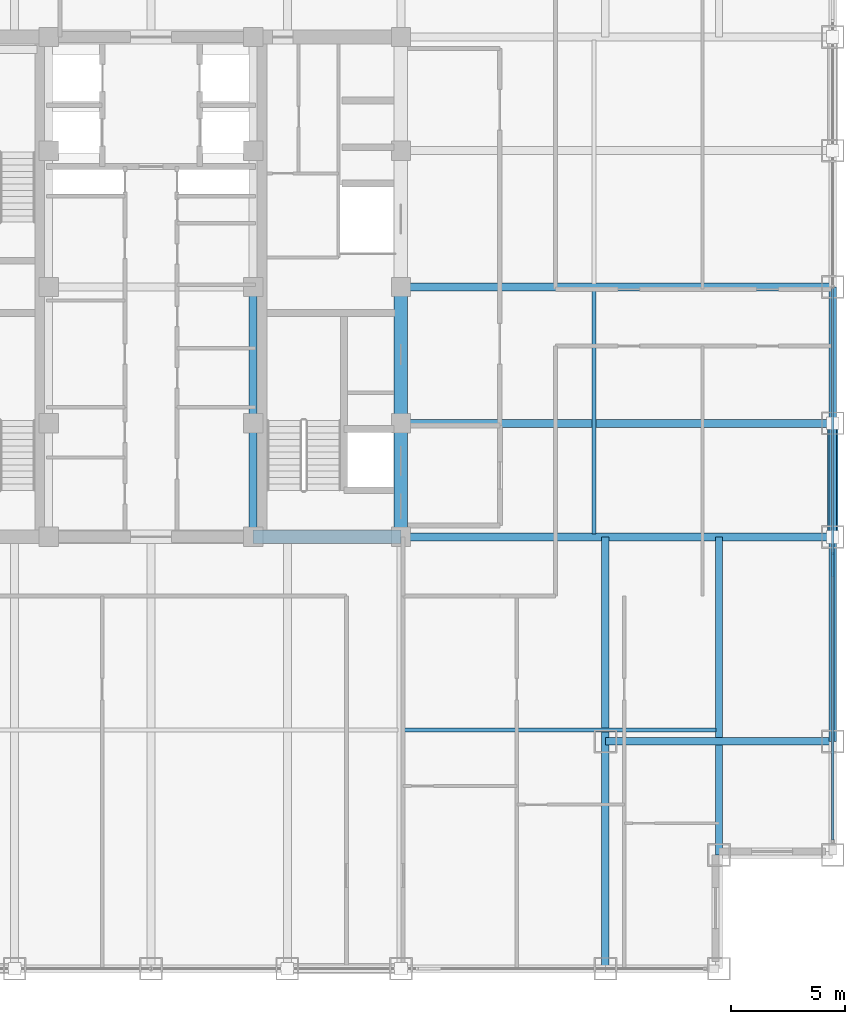
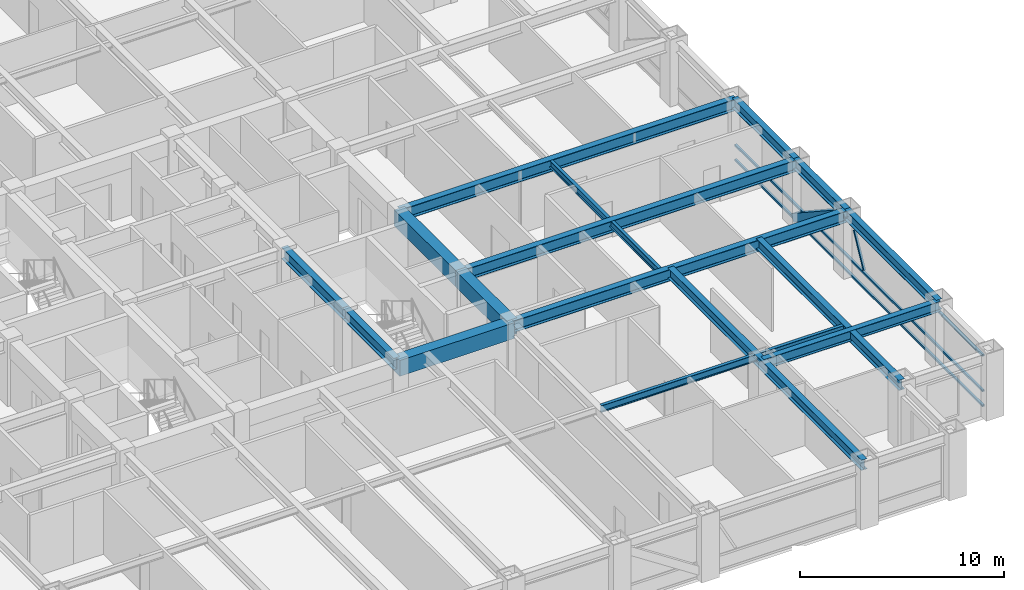
# One storey, part 9 of 25: 16 beams, 5 members, 1 element without a shape of its own.
"""IFC4 building model written with IfcOpenShell, lengths in metres."""

from ifc_helpers import new_model, si_unit, direction, frame, origin, origin_2d, place, context, subcontext, project, spatial, rectangle, hollow_rectangle, i_section, extrude, source, transform, mapped, material, material_profile, profile_set, type_object, element, aggregate, save


model = new_model("IFC4")

# Units and contexts
model_context = context("Model", 3, precision=1e-05, world=origin(), true_north=direction((0.0, 1.0)))
body_context = subcontext(model_context, "Body", "Model", "MODEL_VIEW")
ifc_project = project(units=[si_unit("LENGTHUNIT", "METRE"), si_unit("AREAUNIT", "SQUARE_METRE"), si_unit("VOLUMEUNIT", "CUBIC_METRE"), si_unit("PLANEANGLEUNIT", "RADIAN"), si_unit("MASSUNIT", "GRAM", prefix="KILO")], contexts=[model_context])

# Site, building, storey
site_placement = place(None, origin())
site = spatial("IfcSite", under=ifc_project, at=site_placement, CompositionType="ELEMENT")
building_placement = place(site_placement, origin())
building = spatial("IfcBuilding", under=site, at=building_placement, Name="Khorayat Bourse Tower", CompositionType="ELEMENT")
storey_placement = place(building_placement, frame((0.0, 0.0, 251.10009765625)))
storey = spatial("IfcBuildingStorey", under=building, at=storey_placement, Name="L59", CompositionType="ELEMENT", Elevation=251.10009765625)

# Beams
ifc_material_1 = material(Name="Steel ASTM A992 Grade 50", Category="steel")
ifc_material_profile_1 = material_profile(ifc_material_1, i_section(OverallWidth=0.35498046875, OverallDepth=0.695068359375, WebThickness=0.015380859375, FlangeThickness=0.02490234375, FilletRadius=0.01806640625, at=origin_2d()), Name="W690X217")
ifc_profile_set_1 = profile_set([ifc_material_profile_1], Name="Steel ASTM A992 Grade 50")
beam_type_1 = type_object("IfcBeamType", Name="BM-GIRD-690", PredefinedType="BEAM", material=ifc_profile_set_1)
shared_shape_1 = source(origin(), body_context, "Body", "SweptSolid", [
    extrude(i_section(OverallWidth=0.35498046875, OverallDepth=0.695068359375, WebThickness=0.015380859375, FlangeThickness=0.02490234375, FilletRadius=0.01806640625, at=origin_2d()), origin(), (0.0, 0.0, 1.0), 5.0),
])
beam_1_placement = place(storey_placement, frame((4.5, -11.0, 3.432373046875), z_axis=(0.0, 1.0, 0.0), x_axis=(-1.0, 0.0, 0.0)))
element("IfcBeam", 1, at=beam_1_placement, inside=storey, type_object=beam_type_1, Name="L59 BM-GIRD-690 BM-L59-CRX-09", PredefinedType="BEAM", context=body_context, shape_type="MappedRepresentation", body=[
    mapped(shared_shape_1, transform((0.0, 0.0, 0.0), scale=1.0)),
])
shared_shape_2 = source(origin(), body_context, "Body", "SweptSolid", [
    extrude(i_section(OverallWidth=0.35498046875, OverallDepth=0.695068359375, WebThickness=0.015380859375, FlangeThickness=0.02490234375, FilletRadius=0.01806640625, at=origin_2d()), origin(), (0.0, 0.0, 1.0), 6.0),
])
beam_2_placement = place(storey_placement, frame((4.5, -6.0, 3.432373046875), z_axis=(0.0, 1.0, 0.0), x_axis=(-1.0, 0.0, 0.0)))
element("IfcBeam", 2, at=beam_2_placement, inside=storey, type_object=beam_type_1, Name="L59 BM-GIRD-690 BM-L59-CRX-10", PredefinedType="BEAM", context=body_context, shape_type="MappedRepresentation", body=[
    mapped(shared_shape_2, transform((0.0, 0.0, 0.0), scale=1.0)),
])
ifc_material_profile_2 = material_profile(ifc_material_1, i_section(OverallWidth=0.324951171875, OverallDepth=0.615966796875, WebThickness=0.013916015625, FlangeThickness=0.021484375, FilletRadius=0.01611328125, at=origin_2d()), Name="W610X174")
ifc_profile_set_2 = profile_set([ifc_material_profile_2], Name="Steel ASTM A992 Grade 50")
beam_type_2 = type_object("IfcBeamType", Name="BM-GIRD-610", PredefinedType="BEAM", material=ifc_profile_set_2)
shared_shape_3 = source(origin(), body_context, "Body", "SweptSolid", [
    extrude(i_section(OverallWidth=0.324951171875, OverallDepth=0.615966796875, WebThickness=0.013916015625, FlangeThickness=0.021484375, FilletRadius=0.01611328125, at=origin_2d()), origin(), (0.0, 0.0, 1.0), 19.0),
])
beam_3_placement = place(storey_placement, frame((20.0, -30.0, 3.471923828125), z_axis=(0.0, 1.0, 0.0), x_axis=(-1.0, 0.0, 0.0)))
element("IfcBeam", 3, at=beam_3_placement, inside=storey, type_object=beam_type_2, Name="L59 BM-GIRD-610 BM-L59-CNRY-086", PredefinedType="BEAM", context=body_context, shape_type="MappedRepresentation", body=[
    mapped(shared_shape_3, transform((0.0, 0.0, 0.0), scale=1.0)),
])
shared_shape_4 = source(origin(), body_context, "Body", "SweptSolid", [
    extrude(i_section(OverallWidth=0.324951171875, OverallDepth=0.615966796875, WebThickness=0.013916015625, FlangeThickness=0.021484375, FilletRadius=0.01611328125, at=origin_2d()), origin(), (0.0, 0.0, 1.0), 10.0),
])
beam_4_placement = place(storey_placement, frame((20.0, -20.0, 3.471923828125), z_axis=(1.0, 0.0, 0.0), x_axis=(0.0, 1.0, 0.0)))
element("IfcBeam", 4, at=beam_4_placement, inside=storey, type_object=beam_type_2, Name="L59 BM-GIRD-610 BM-L59-CNRX-092", PredefinedType="BEAM", context=body_context, shape_type="MappedRepresentation", body=[
    mapped(shared_shape_4, transform((0.0, 0.0, 0.0), scale=1.0)),
])
ifc_material_profile_3 = material_profile(ifc_material_1, i_section(OverallWidth=0.180908203125, OverallDepth=0.4169921875, WebThickness=0.010986328125, FlangeThickness=0.018310546875, FilletRadius=0.011962890625, at=origin_2d()), Name="W410X85")
ifc_profile_set_3 = profile_set([ifc_material_profile_3], Name="Steel ASTM A992 Grade 50")
beam_type_3 = type_object("IfcBeamType", Name="BM-JOIST-410", PredefinedType="JOIST", material=ifc_profile_set_3)
shared_shape_5 = source(origin(), body_context, "Body", "SweptSolid", [
    extrude(i_section(OverallWidth=0.180908203125, OverallDepth=0.4169921875, WebThickness=0.010986328125, FlangeThickness=0.018310546875, FilletRadius=0.011962890625, at=origin_2d()), origin(), (0.0, 0.0, 1.0), 10.740234375),
])
beam_5_placement = place(storey_placement, frame((19.5, -10.8701171875, 3.5712890625), z_axis=(0.0, 1.0, 0.0), x_axis=(-1.0, 0.0, 0.0)))
element("IfcBeam", 5, at=beam_5_placement, inside=storey, type_object=beam_type_3, Name="L59 BM-JOIST-410 BM-L59-JSTY-104", PredefinedType="JOIST", context=body_context, shape_type="MappedRepresentation", body=[
    mapped(shared_shape_5, transform((0.0, 0.0, 0.0), scale=1.0)),
])
ifc_material_profile_4 = material_profile(ifc_material_1, i_section(OverallWidth=0.324951171875, OverallDepth=0.615966796875, WebThickness=0.013916015625, FlangeThickness=0.021484375, FilletRadius=0.01611328125, at=origin_2d()), Name="W610X174")
ifc_profile_set_4 = profile_set([ifc_material_profile_4], Name="Steel ASTM A992 Grade 50")
beam_type_4 = type_object("IfcBeamType", Name="BM-SPAN-610", PredefinedType="SPANDREL", material=ifc_profile_set_4)
shared_shape_6 = source(origin(), body_context, "Body", "SweptSolid", [
    extrude(i_section(OverallWidth=0.324951171875, OverallDepth=0.615966796875, WebThickness=0.013916015625, FlangeThickness=0.021484375, FilletRadius=0.01611328125, at=origin_2d()), origin(), (0.0, 0.0, 1.0), 9.0),
])
beam_6_placement = place(storey_placement, frame((30.0, -20.0, 3.471923828125), z_axis=(0.0, 1.0, 0.0), x_axis=(-1.0, 0.0, 0.0)))
element("IfcBeam", 6, at=beam_6_placement, inside=storey, type_object=beam_type_4, Name="L59 BM-SPAN-610 BM-L59-SPN-035", PredefinedType="SPANDREL", context=body_context, shape_type="MappedRepresentation", body=[
    mapped(shared_shape_6, transform((0.0, 0.0, 0.0), scale=1.0)),
])
shared_shape_7 = source(origin(), body_context, "Body", "SweptSolid", [
    extrude(i_section(OverallWidth=0.324951171875, OverallDepth=0.615966796875, WebThickness=0.013916015625, FlangeThickness=0.021484375, FilletRadius=0.01611328125, at=origin_2d()), origin(), (0.0, 0.0, 1.0), 5.0),
])
beam_7_placement = place(storey_placement, frame((30.0, -11.0, 3.471923828125), z_axis=(0.0, 1.0, 0.0), x_axis=(-1.0, 0.0, 0.0)))
element("IfcBeam", 7, at=beam_7_placement, inside=storey, type_object=beam_type_4, Name="L59 BM-SPAN-610 BM-L59-SPN-036", PredefinedType="SPANDREL", context=body_context, shape_type="MappedRepresentation", body=[
    mapped(shared_shape_7, transform((0.0, 0.0, 0.0), scale=1.0)),
])
shared_shape_8 = source(origin(), body_context, "Body", "SweptSolid", [
    extrude(i_section(OverallWidth=0.324951171875, OverallDepth=0.615966796875, WebThickness=0.013916015625, FlangeThickness=0.021484375, FilletRadius=0.01611328125, at=origin_2d()), origin(), (0.0, 0.0, 1.0), 6.0),
])
beam_8_placement = place(storey_placement, frame((30.0, -6.0, 3.471923828125), z_axis=(0.0, 1.0, 0.0), x_axis=(-1.0, 0.0, 0.0)))
element("IfcBeam", 8, at=beam_8_placement, inside=storey, type_object=beam_type_4, Name="L59 BM-SPAN-610 BM-L59-SPN-037", PredefinedType="SPANDREL", context=body_context, shape_type="MappedRepresentation", body=[
    mapped(shared_shape_8, transform((0.0, 0.0, 0.0), scale=1.0)),
])
ifc_material_2 = material(Name="Concrete C60/75", Category="concrete")
ifc_material_profile_5 = material_profile(ifc_material_2, rectangle(XDim=0.60009765625, YDim=0.949951171875, at=origin_2d()), Name="RC 600x950")
ifc_profile_set_5 = profile_set([ifc_material_profile_5], Name="Concrete C60/75")
beam_type_5 = type_object("IfcBeamType", Name="BM-COUP-950", PredefinedType="BEAM", material=ifc_profile_set_5)
shared_shape_9 = source(origin(), body_context, "Body", "SweptSolid", [
    extrude(rectangle(XDim=0.60009765625, YDim=0.949951171875, at=origin_2d()), origin(), (0.0, 0.0, 1.0), 5.0),
])
beam_9_placement = place(storey_placement, frame((11.0, -11.0, 3.304931640625), z_axis=(0.0, 1.0, 0.0), x_axis=(-1.0, 0.0, 0.0)))
element("IfcBeam", 9, at=beam_9_placement, inside=storey, type_object=beam_type_5, Name="L59 BM-COUP-950 BM-L59-CRX-13", PredefinedType="BEAM", context=body_context, shape_type="MappedRepresentation", body=[
    mapped(shared_shape_9, transform((0.0, 0.0, 0.0), scale=1.0)),
])
shared_shape_10 = source(origin(), body_context, "Body", "SweptSolid", [
    extrude(rectangle(XDim=0.60009765625, YDim=0.949951171875, at=origin_2d()), origin(), (0.0, 0.0, 1.0), 6.0),
])
beam_10_placement = place(storey_placement, frame((11.0, -6.0, 3.304931640625), z_axis=(0.0, 1.0, 0.0), x_axis=(-1.0, 0.0, 0.0)))
element("IfcBeam", 10, at=beam_10_placement, inside=storey, type_object=beam_type_5, Name="L59 BM-COUP-950 BM-L59-CRX-14", PredefinedType="BEAM", context=body_context, shape_type="MappedRepresentation", body=[
    mapped(shared_shape_10, transform((0.0, 0.0, 0.0), scale=1.0)),
])
shared_shape_11 = source(origin(), body_context, "Body", "SweptSolid", [
    extrude(rectangle(XDim=0.60009765625, YDim=0.949951171875, at=origin_2d()), origin(), (0.0, 0.0, 1.0), 6.5),
])
beam_11_placement = place(storey_placement, frame((4.5, -11.0, 3.304931640625), z_axis=(1.0, 0.0, 0.0), x_axis=(0.0, 1.0, 0.0)))
element("IfcBeam", 11, at=beam_11_placement, inside=storey, type_object=beam_type_5, Name="L59 BM-COUP-950 BM-L59-CRY-19", PredefinedType="BEAM", context=body_context, shape_type="MappedRepresentation", body=[
    mapped(shared_shape_11, transform((0.0, 0.0, 0.0), scale=1.0)),
])
shared_shape_12 = source(origin(), body_context, "Body", "SweptSolid", [
    extrude(i_section(OverallWidth=0.35498046875, OverallDepth=0.695068359375, WebThickness=0.015380859375, FlangeThickness=0.02490234375, FilletRadius=0.01806640625, at=origin_2d()), origin(), (0.0, 0.0, 1.0), 19.0),
])
for number, where, z_axis, x_axis, name in (
    (12, (11.0, -11.0, 3.432373046875), (1.0, 0.0, 0.0), (0.0, 1.0, 0.0), "L59 BM-GIRD-690 BM-L59-RADX-074"),
    (13, (11.0, -6.0, 3.432373046875), (1.0, 0.0, 0.0), (0.0, 1.0, 0.0), "L59 BM-GIRD-690 BM-L59-RADX-076"),
    (14, (11.0, 0.0, 3.432373046875), (1.0, 0.0, 0.0), (0.0, 1.0, 0.0), "L59 BM-GIRD-690 BM-L59-RADX-078"),
):
    element("IfcBeam", number, at=place(storey_placement, frame(where, z_axis=z_axis, x_axis=x_axis)), inside=storey, type_object=beam_type_1, Name=name, PredefinedType="BEAM", context=body_context, shape_type="MappedRepresentation", body=[
        mapped(shared_shape_12, transform((0.0, 0.0, 0.0), scale=1.0)),
    ])
shared_shape_13 = source(origin(), body_context, "Body", "SweptSolid", [
    extrude(i_section(OverallWidth=0.324951171875, OverallDepth=0.615966796875, WebThickness=0.013916015625, FlangeThickness=0.021484375, FilletRadius=0.01611328125, at=origin_2d()), origin(), (0.0, 0.0, 1.0), 14.0),
])
beam_12_placement = place(storey_placement, frame((25.0, -25.0, 3.471923828125), z_axis=(0.0, 1.0, 0.0), x_axis=(-1.0, 0.0, 0.0)))
element("IfcBeam", 15, at=beam_12_placement, inside=storey, type_object=beam_type_2, Name="L59 BM-GIRD-610 BM-L59-CNRY-090", PredefinedType="BEAM", context=body_context, shape_type="MappedRepresentation", body=[
    mapped(shared_shape_13, transform((0.0, 0.0, 0.0), scale=1.0)),
])
shared_shape_14 = source(origin(), body_context, "Body", "SweptSolid", [
    extrude(i_section(OverallWidth=0.180908203125, OverallDepth=0.4169921875, WebThickness=0.010986328125, FlangeThickness=0.018310546875, FilletRadius=0.011962890625, at=origin_2d()), origin(), (0.0, 0.0, 1.0), 13.740234375),
])
beam_13_placement = place(storey_placement, frame((11.1298828125, -19.5, 3.5712890625), z_axis=(1.0, 0.0, 0.0), x_axis=(0.0, 1.0, 0.0)))
element("IfcBeam", 16, at=beam_13_placement, inside=storey, type_object=beam_type_3, Name="L59 BM-JOIST-410 BM-L59-JSTX-098", PredefinedType="JOIST", context=body_context, shape_type="MappedRepresentation", body=[
    mapped(shared_shape_14, transform((0.0, 0.0, 0.0), scale=1.0)),
])

# Member
ifc_material_3 = material(Name="Steel EN 10025-4 S460M", Category="steel")
ifc_material_profile_6 = material_profile(ifc_material_3, hollow_rectangle(XDim=0.449951171875, YDim=0.449951171875, WallThickness=0.02490234375, at=origin_2d()), Name="HSS 450x450x25")
ifc_profile_set_6 = profile_set([ifc_material_profile_6], Name="Steel EN 10025-4 S460M")
member_type_1 = type_object("IfcMemberType", Name="MBR-TUBE-450", PredefinedType="BRACE", material=ifc_profile_set_6)
shared_shape_15 = source(origin(), body_context, "Body", "SweptSolid", [
    extrude(hollow_rectangle(XDim=0.449951171875, YDim=0.449951171875, WallThickness=0.02490234375, at=origin_2d()), origin(), (0.0, 0.0, 1.0), 5.979736328125),
])
member_1_placement = place(storey_placement, frame((30.0, -11.0, 3.52978515625), z_axis=(0.0, 0.836160261256, -0.548485202623), x_axis=(-1.0, 0.0, 0.0)))
element("IfcMember", 17, at=member_1_placement, inside=storey, type_object=member_type_1, Name="L59 Perimeter Tube Brace 07", PredefinedType="BRACE", context=body_context, shape_type="MappedRepresentation", body=[
    mapped(shared_shape_15, transform((0.0, 0.0, 0.0), scale=1.0)),
])

# Curtain wall, members
ifc_material_4 = material(Name="Aluminium EN AW-6063 T6", Category="aluminium")
curtain_wall_type = type_object("IfcCurtainWallType", Name="CW-SYS-03", PredefinedType="NOTDEFINED", material=ifc_material_4)
curtain_wall_placement = place(storey_placement, origin())
curtain_wall = element("IfcCurtainWall", 18, at=curtain_wall_placement, inside=storey, type_object=curtain_wall_type, Name="L59 Curtain Wall CW-L59-E1", PredefinedType="NOTDEFINED")
ifc_material_profile_7 = material_profile(ifc_material_4, hollow_rectangle(XDim=0.1201171875, YDim=0.1201171875, WallThickness=0.0048828125, at=origin_2d()), Name="ALU 120x120x5")
ifc_profile_set_7 = profile_set([ifc_material_profile_7], Name="Aluminium EN AW-6063 T6")
member_type_2 = type_object("IfcMemberType", Name="CWM-DIAG-120", PredefinedType="MULLION", material=ifc_profile_set_7)
shared_shape_16 = source(origin(), body_context, "Body", "SweptSolid", [
    extrude(hollow_rectangle(XDim=0.1201171875, YDim=0.1201171875, WallThickness=0.0048828125, at=origin_2d()), origin(), (0.0, 0.0, 1.0), 2.079345703125),
])
member_2_placement = place(storey_placement, frame((30.0, -12.67919921875, 1.08984375), z_axis=(0.0, 0.465760949701, 0.884910581773), x_axis=(-1.0, 0.0, 0.0)))
member_2 = element("IfcMember", 19, at=member_2_placement, type_object=member_type_2, Name="CW-L59-E1 Faceted Diagonal Mullion 1", PredefinedType="MULLION", context=body_context, shape_type="MappedRepresentation", body=[
    mapped(shared_shape_16, transform((0.0, 0.0, 0.0), scale=1.0)),
])
ifc_material_profile_8 = material_profile(ifc_material_4, hollow_rectangle(XDim=0.1201171875, YDim=0.1201171875, WallThickness=0.0048828125, at=origin_2d()), Name="ALU 120x120x5")
ifc_profile_set_8 = profile_set([ifc_material_profile_8], Name="Aluminium EN AW-6063 T6")
member_type_3 = type_object("IfcMemberType", Name="CWT-HORZ-120", PredefinedType="USERDEFINED", material=ifc_profile_set_8)
shared_shape_17 = source(origin(), body_context, "Body", "SweptSolid", [
    extrude(hollow_rectangle(XDim=0.1201171875, YDim=0.1201171875, WallThickness=0.0048828125, at=origin_2d()), origin(), (0.0, 0.0, 1.0), 24.27001953125),
])
member_3_placement = place(storey_placement, frame((30.0, -24.330078125, 0.059814453125), z_axis=(0.0, 1.0, 0.0), x_axis=(-1.0, 0.0, 0.0)))
member_3 = element("IfcMember", 20, at=member_3_placement, type_object=member_type_3, Name="CW-L59-E1 Horizontal Transom 1-1", ObjectType="TRANSOM", PredefinedType="USERDEFINED", context=body_context, shape_type="MappedRepresentation", body=[
    mapped(shared_shape_17, transform((0.0, 0.0, 0.0), scale=1.0)),
])
member_4_placement = place(storey_placement, frame((30.0, -24.330078125, 0.949951171875), z_axis=(0.0, 1.0, 0.0), x_axis=(-1.0, 0.0, 0.0)))
member_4 = element("IfcMember", 21, at=member_4_placement, type_object=member_type_3, Name="CW-L59-E1 Horizontal Transom 1-2", ObjectType="TRANSOM", PredefinedType="USERDEFINED", context=body_context, shape_type="MappedRepresentation", body=[
    mapped(shared_shape_17, transform((0.0, 0.0, 0.0), scale=1.0)),
])
member_5_placement = place(storey_placement, frame((30.0, -24.330078125, 3.06982421875), z_axis=(0.0, 1.0, 0.0), x_axis=(-1.0, 0.0, 0.0)))
member_5 = element("IfcMember", 22, at=member_5_placement, type_object=member_type_3, Name="CW-L59-E1 Horizontal Transom 1-3", ObjectType="TRANSOM", PredefinedType="USERDEFINED", context=body_context, shape_type="MappedRepresentation", body=[
    mapped(shared_shape_17, transform((0.0, 0.0, 0.0), scale=1.0)),
])
aggregate(curtain_wall, [member_3, member_4, member_5, member_2])

save(model, "model.ifc")
